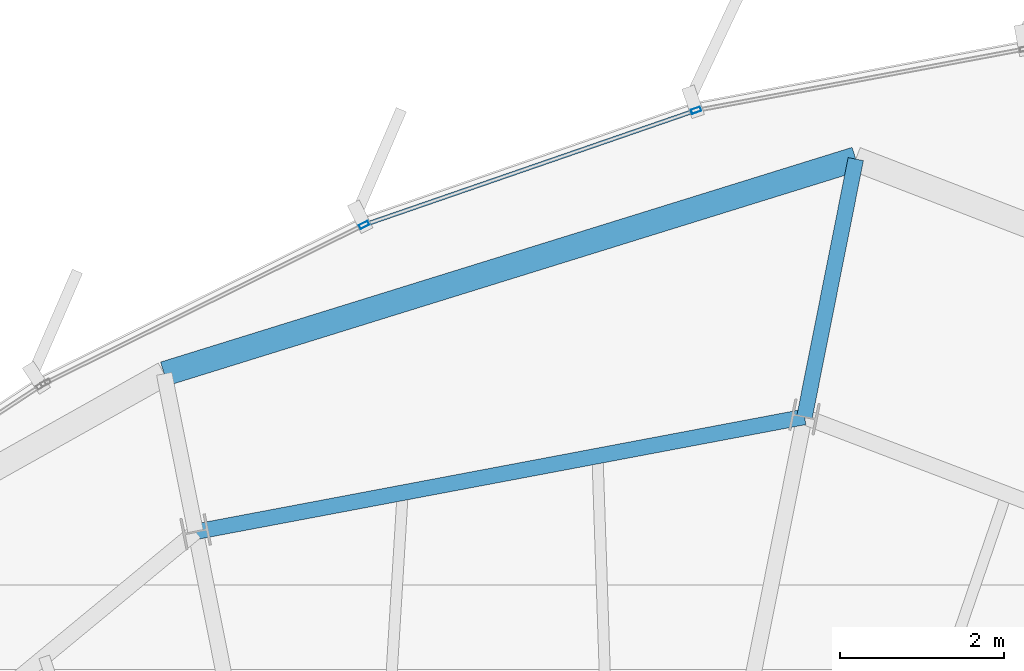
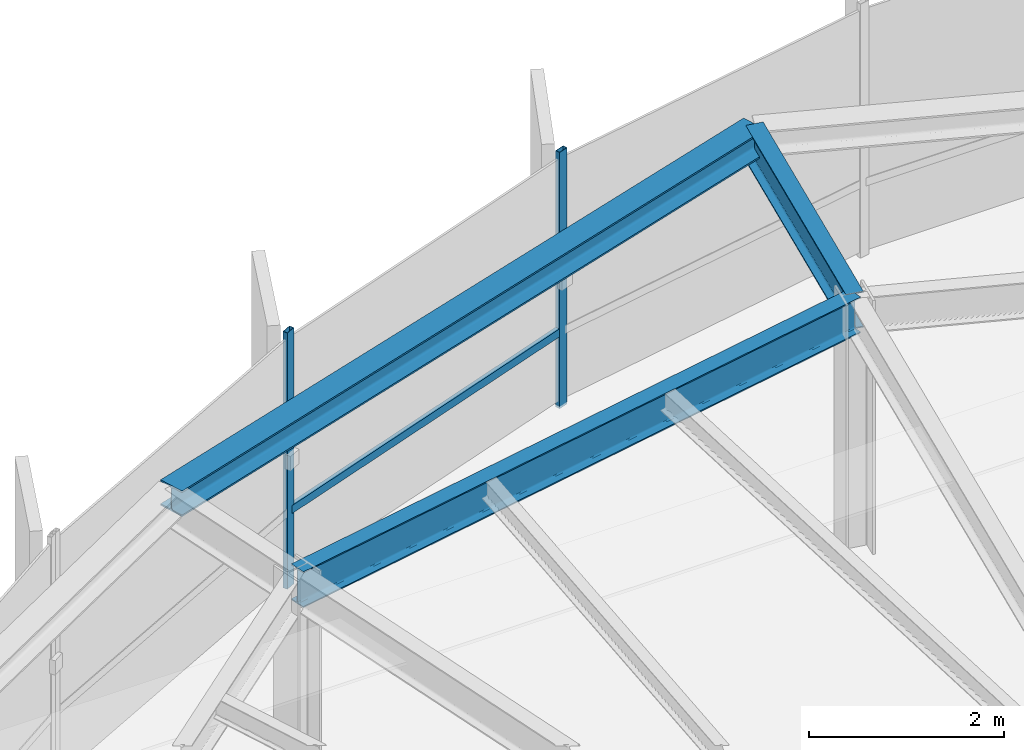
# One storey, part 23 of 35: 3 beams, 3 members, 1 element without a shape of its own.
"""IFC4 building model written with IfcOpenShell, lengths in metres."""

import ifcopenshell
import ifcopenshell.guid

model = None  # the IFC model being written
_history = None  # IfcOwnerHistory: only IFC2X3 demands one
_inside = {}  # id of a spatial element -> (the spatial element, [elements in it])
_under = {}  # id of a project, library or spatial element -> (it, [spatial elements below it])
_declared = {}  # id of a project -> (the project, [libraries it declares])
_typed = {}  # id of a type object -> (the type object, [elements of that type])
_made_of = {}  # id of a material, layer set ... -> (it, [elements and type objects made of it])


def new_model(schema):
    """Start an empty IFC model of exactly this schema.

    Asked for "IFC4X3", IfcOpenShell would pick the latest addendum, in which some entities
    have other attributes; the version numbers below select the first issue.
    IFC2X3 requires an IfcOwnerHistory on every rooted entity: one is made here for all.
    """
    global model, _history
    if schema == "IFC4X3":
        model = ifcopenshell.file(schema_version=(4, 3, 0, 0))
    else:
        model = ifcopenshell.file(schema=schema)
    _inside.clear()
    _under.clear()
    _declared.clear()
    _typed.clear()
    _made_of.clear()
    _history = None
    if model.schema == "IFC2X3":
        org = make("IfcOrganization", Name="unknown")
        user = make(
            "IfcPersonAndOrganization",
            ThePerson=make("IfcPerson", FamilyName="unknown"),
            TheOrganization=org,
        )
        app = make(
            "IfcApplication",
            ApplicationDeveloper=org,
            Version="unknown",
            ApplicationFullName="unknown",
            ApplicationIdentifier="unknown",
        )
        _history = make(
            "IfcOwnerHistory",
            OwningUser=user,
            OwningApplication=app,
            ChangeAction="ADDED",
            CreationDate=0,
        )
    return model


def make(cls, **values):
    """One entity of the class cls with the attributes given. An attribute that is None is left unset."""
    return model.create_entity(
        cls, **{name: value for name, value in values.items() if value is not None}
    )


def rooted(cls, **values):
    """An entity with a GlobalId (a new one), such as an element, a storey or a relation."""
    return make(cls, GlobalId=ifcopenshell.guid.new(), OwnerHistory=_history, **values)


def si_unit(unit_type, name, prefix=None):
    """IfcSIUnit, for example si_unit("LENGTHUNIT", "METRE", prefix="MILLI")."""
    return make("IfcSIUnit", UnitType=unit_type, Prefix=prefix, Name=name)


def assignment(units):
    """IfcUnitAssignment: the units of a project."""
    return None if units is None else make("IfcUnitAssignment", Units=units)


def point(xyz):
    """IfcCartesianPoint."""
    return None if xyz is None else make("IfcCartesianPoint", Coordinates=xyz)


def direction(xyz):
    """IfcDirection."""
    return None if xyz is None else make("IfcDirection", DirectionRatios=xyz)


def frame(location, z_axis=None, x_axis=None):
    """IfcAxis2Placement3D, a coordinate frame: its origin and axes. An axis left out is left unset."""
    return make(
        "IfcAxis2Placement3D",
        Location=point(location),
        Axis=direction(z_axis),
        RefDirection=direction(x_axis),
    )


def frame_2d(location, x_axis=None):
    """IfcAxis2Placement2D, a coordinate frame in the plane: its origin and x axis."""
    return make(
        "IfcAxis2Placement2D", Location=point(location), RefDirection=direction(x_axis)
    )


def origin():
    """The frame at (0, 0, 0) with its axes left unset."""
    return frame((0.0, 0.0, 0.0))


def origin_2d():
    """The frame at (0, 0) in the plane with its x axis left unset."""
    return frame_2d((0.0, 0.0))


def place(relative_to, where):
    """IfcLocalPlacement: puts the frame where relative to a parent placement (None: the world)."""
    return make(
        "IfcLocalPlacement", PlacementRelTo=relative_to, RelativePlacement=where
    )


def context(
    kind, dimensions, precision=None, world=None, true_north=None, identifier=None
):
    """IfcGeometricRepresentationContext, for example the 3D "Model" context."""
    return make(
        "IfcGeometricRepresentationContext",
        ContextIdentifier=identifier,
        ContextType=kind,
        CoordinateSpaceDimension=dimensions,
        Precision=precision,
        WorldCoordinateSystem=world,
        TrueNorth=true_north,
    )


def subcontext(parent, identifier, kind, view, scale=None):
    """IfcGeometricRepresentationSubContext, for example "Body" below "Model"."""
    return make(
        "IfcGeometricRepresentationSubContext",
        ContextIdentifier=identifier,
        ContextType=kind,
        ParentContext=parent,
        TargetScale=scale,
        TargetView=view,
    )


def project(units=None, contexts=None):
    """IfcProject with its units and contexts."""
    return rooted(
        "IfcProject",
        Name="project",
        RepresentationContexts=contexts,
        UnitsInContext=assignment(units),
    )


def spatial(cls, under=None, at=None, **own):
    """A site, building, storey or space (cls), placed at a placement, below another one or the project."""
    s = rooted(cls, ObjectPlacement=at, **own)
    if under is not None:
        _under.setdefault(under.id(), (under, []))[1].append(s)
    return s


def profile(cls, at=None, kind="AREA", **sizes):
    """A parametric profile (cls). Its sizes go by their IFC names, for example OverallWidth=200.0."""
    return make(cls, ProfileType=kind, Position=at, **sizes)


def hollow_rectangle(**sizes):
    """IfcRectangleHollowProfileDef."""
    return profile("IfcRectangleHollowProfileDef", **sizes)


def i_section(**sizes):
    """IfcIShapeProfileDef."""
    return profile("IfcIShapeProfileDef", **sizes)


def extrude(swept, where, along, depth):
    """IfcExtrudedAreaSolid: the profile swept, set in the frame where, extruded along a direction by depth."""
    return make(
        "IfcExtrudedAreaSolid",
        SweptArea=swept,
        Position=where,
        ExtrudedDirection=direction(along),
        Depth=depth,
    )


def shape(context_of_items, identifier, shape_type, items):
    """IfcShapeRepresentation: the items that make up one representation, for example the "Body"."""
    return make(
        "IfcShapeRepresentation",
        ContextOfItems=context_of_items,
        RepresentationIdentifier=identifier,
        RepresentationType=shape_type,
        Items=items,
    )


def source(mapping_origin, context_of_items, identifier, shape_type, items):
    """IfcRepresentationMap: a shape defined once, which mapped items show again and again."""
    return make(
        "IfcRepresentationMap",
        MappingOrigin=mapping_origin,
        MappedRepresentation=shape(context_of_items, identifier, shape_type, items),
    )


def transform(
    local_origin,
    x_axis=None,
    y_axis=None,
    z_axis=None,
    scale=None,
    scale2=None,
    scale3=None,
    uniform=True,
):
    """IfcCartesianTransformationOperator3D, or its non-uniform kind. x_axis, y_axis, z_axis: its Axis1, 2, 3."""
    if uniform:
        return make(
            "IfcCartesianTransformationOperator3D",
            Axis1=direction(x_axis),
            Axis2=direction(y_axis),
            LocalOrigin=point(local_origin),
            Scale=scale,
            Axis3=direction(z_axis),
        )
    return make(
        "IfcCartesianTransformationOperator3DnonUniform",
        Axis1=direction(x_axis),
        Axis2=direction(y_axis),
        LocalOrigin=point(local_origin),
        Scale=scale,
        Axis3=direction(z_axis),
        Scale2=scale2,
        Scale3=scale3,
    )


def mapped(mapping_source, mapping_target):
    """IfcMappedItem: shows the shape of a source again, moved by a transform."""
    return make(
        "IfcMappedItem", MappingSource=mapping_source, MappingTarget=mapping_target
    )


def material(Name=None, Category=None):
    """IfcMaterial."""
    return make("IfcMaterial", Name=Name, Category=Category)


def layer(
    of_material, thickness, ventilated=None, Name=None, Category=None, Priority=None
):
    """IfcMaterialLayer: one layer of a wall or slab, of a material (None: an air gap)."""
    return make(
        "IfcMaterialLayer",
        Material=of_material,
        LayerThickness=thickness,
        IsVentilated=ventilated,
        Name=Name,
        Category=Category,
        Priority=Priority,
    )


def layer_set(layers, Name=None):
    """IfcMaterialLayerSet."""
    return make("IfcMaterialLayerSet", MaterialLayers=layers, LayerSetName=Name)


def material_profile(
    of_material, cross_section, Name=None, Category=None, Priority=None
):
    """IfcMaterialProfile: a cross section and its material."""
    return make(
        "IfcMaterialProfile",
        Name=Name,
        Material=of_material,
        Profile=cross_section,
        Priority=Priority,
        Category=Category,
    )


def profile_set(profiles, Name=None, composite=None):
    """IfcMaterialProfileSet."""
    return make(
        "IfcMaterialProfileSet",
        Name=Name,
        MaterialProfiles=profiles,
        CompositeProfile=composite,
    )


def made_of(thing, what):
    """Note that an element or type object is made of a material, layer set ...; save() writes the relation."""
    if what is not None:
        _made_of.setdefault(what.id(), (what, []))[1].append(thing)
    return thing


def type_object(cls, material=None, **own):
    """A type object (cls), such as IfcWallType, which elements share."""
    return made_of(rooted(cls, **own), material)


def element(
    cls,
    number,
    at=None,
    inside=None,
    cuts=None,
    type_object=None,
    material=None,
    context=None,
    identifier="Body",
    shape_type=None,
    held_by="IfcProductDefinitionShape",
    body=None,
    shapes=None,
    **own,
):
    """One element of the class cls, such as IfcWall. Its Tag is "e" and its number.

    at: its placement. inside: the storey or other place that contains it. cuts: it is an
    opening in that element (IfcRelVoidsElement). A single representation is given by context,
    identifier, shape_type and body (its items); several are given by shapes. held_by: the class
    of the entity that holds the representations. save() writes the other relations.
    """
    e = rooted(cls, Tag="e%d" % number, ObjectPlacement=at, **own)
    if body is not None:
        shapes = [shape(context, identifier, shape_type, body)]
    if shapes is not None:
        e.Representation = make(held_by, Representations=shapes)
    if inside is not None:
        _inside.setdefault(inside.id(), (inside, []))[1].append(e)
    if cuts is not None:
        rooted(
            "IfcRelVoidsElement", RelatingBuildingElement=cuts, RelatedOpeningElement=e
        )
    if type_object is not None:
        _typed.setdefault(type_object.id(), (type_object, []))[1].append(e)
    return made_of(e, material)


def aggregate(whole, parts):
    """IfcRelAggregates: a whole, such as a stair, and the parts it consists of."""
    return rooted("IfcRelAggregates", RelatingObject=whole, RelatedObjects=parts)


def save(model, path):
    """Write the relations noted so far, then the file.

    IfcRelAggregates (storeys below a building ...), IfcRelContainedInSpatialStructure (elements
    in a storey), IfcRelDefinesByType, IfcRelAssociatesMaterial and IfcRelDeclares: one each for
    every whole, place, type object, material and project.
    """
    for whole, parts in _under.values():
        aggregate(whole, parts)
    for where, things in _inside.values():
        rooted(
            "IfcRelContainedInSpatialStructure",
            RelatedElements=things,
            RelatingStructure=where,
        )
    for kind, things in _typed.values():
        rooted("IfcRelDefinesByType", RelatedObjects=things, RelatingType=kind)
    for what, things in _made_of.values():
        rooted("IfcRelAssociatesMaterial", RelatedObjects=things, RelatingMaterial=what)
    for by, libraries in _declared.values():
        rooted("IfcRelDeclares", RelatingContext=by, RelatedDefinitions=libraries)
    model.write(path)


model = new_model("IFC4")

# Units and contexts
model_context = context("Model", 3, precision=1e-05, world=origin(), true_north=direction((0.0, 1.0)))
body_context = subcontext(model_context, "Body", "Model", "MODEL_VIEW")
ifc_project = project(units=[si_unit("LENGTHUNIT", "METRE"), si_unit("AREAUNIT", "SQUARE_METRE"), si_unit("VOLUMEUNIT", "CUBIC_METRE"), si_unit("PLANEANGLEUNIT", "RADIAN"), si_unit("MASSUNIT", "GRAM", prefix="KILO"), si_unit("THERMODYNAMICTEMPERATUREUNIT", "KELVIN")], contexts=[model_context])

# Site, building, storey
site_placement = place(None, origin())
site = spatial("IfcSite", under=ifc_project, at=site_placement, CompositionType="ELEMENT")
building_placement = place(site_placement, origin())
building = spatial("IfcBuilding", under=site, at=building_placement, Name="Kethvar Cultural Tower", CompositionType="ELEMENT")
storey_placement = place(building_placement, frame((0.0, 0.0, 245.64990234375)))
storey = spatial("IfcBuildingStorey", under=building, at=storey_placement, Name="L64", CompositionType="ELEMENT", Elevation=245.64990234375)

# Beams
ifc_material_1 = material(Name="Steel S355J2", Category="steel")
ifc_material_profile_1 = material_profile(ifc_material_1, i_section(OverallWidth=0.18994140625, OverallDepth=0.449951171875, WebThickness=0.009521484375, FlangeThickness=0.0146484375, FilletRadius=0.02099609375, at=origin_2d()), Name="Steel S355J2 — IPE450")
ifc_profile_set_1 = profile_set([ifc_material_profile_1], Name="Steel S355J2 — IPE450")
beam_type_1 = type_object("IfcBeamType", Name="BM-IPE450", PredefinedType="BEAM", material=ifc_profile_set_1)
shared_shape_1 = source(origin(), body_context, "Body", "SweptSolid", [
    extrude(i_section(OverallWidth=0.18994140625, OverallDepth=0.449951171875, WebThickness=0.009521484375, FlangeThickness=0.0146484375, FilletRadius=0.02099609375, at=origin_2d()), origin(), (0.0, 0.0, 1.0), 3.199951171875),
])
beam_1_placement = place(storey_placement, frame((50.645263671875, 47.131591796875, 2.983154296875), z_axis=(0.195088965533, 0.980785550224, 0.0), x_axis=(-0.980785550224, 0.195088965533, 0.0)))
element("IfcBeam", 1, at=beam_1_placement, inside=storey, type_object=beam_type_1, Name="L64 Perimeter Cantilever Beam RC-04", PredefinedType="BEAM", context=body_context, shape_type="MappedRepresentation", body=[
    mapped(shared_shape_1, transform((0.0, 0.0, 0.0), scale=1.0)),
])
shared_shape_2 = source(origin(), body_context, "Body", "SweptSolid", [
    extrude(i_section(OverallWidth=0.18994140625, OverallDepth=0.449951171875, WebThickness=0.009521484375, FlangeThickness=0.0146484375, FilletRadius=0.02099609375, at=origin_2d()), origin(), (0.0, 0.0, 1.0), 7.543212890625),
])
beam_2_placement = place(storey_placement, frame((50.645263671875, 47.131591796875, 2.983154296875), z_axis=(-0.982646853086, -0.185486285532, 0.0), x_axis=(0.185486285532, -0.982646853086, 0.0)))
element("IfcBeam", 2, at=beam_2_placement, inside=storey, type_object=beam_type_1, Name="L64 Column Ring Tie Beam CR-04", PredefinedType="BEAM", context=body_context, shape_type="MappedRepresentation", body=[
    mapped(shared_shape_2, transform((0.0, 0.0, 0.0), scale=1.0)),
])
ifc_material_profile_2 = material_profile(ifc_material_1, i_section(OverallWidth=0.300048828125, OverallDepth=0.320068359375, WebThickness=0.011474609375, FlangeThickness=0.0205078125, FilletRadius=0.027099609375, at=origin_2d()), Name="Steel S355J2 — HEB320")
ifc_profile_set_2 = profile_set([ifc_material_profile_2], Name="Steel S355J2 — HEB320")
beam_type_2 = type_object("IfcBeamType", Name="BM-SP320", PredefinedType="SPANDREL", material=ifc_profile_set_2)
shared_shape_3 = source(origin(), body_context, "Body", "SweptSolid", [
    extrude(i_section(OverallWidth=0.300048828125, OverallDepth=0.320068359375, WebThickness=0.011474609375, FlangeThickness=0.0205078125, FilletRadius=0.027099609375, at=origin_2d()), origin(), (0.0, 0.0, 1.0), 8.815673828125),
])
beam_3_placement = place(storey_placement, frame((51.26953125, 50.27001953125, 3.048095703125), z_axis=(-0.955026823476, -0.296519420007, 0.0), x_axis=(0.296519420007, -0.955026823476, 0.0)))
element("IfcBeam", 3, at=beam_3_placement, inside=storey, type_object=beam_type_2, Name="L64 Perimeter Spandrel Beam SP-04", PredefinedType="SPANDREL", context=body_context, shape_type="MappedRepresentation", body=[
    mapped(shared_shape_3, transform((0.0, 0.0, 0.0), scale=1.0)),
])

# Curtain wall, members
ifc_material_2 = material(Name="Aluminium 6063-T6", Category="aluminium")
ifc_layer = layer(ifc_material_2, 0.179931640625, Name="Aluminium 6063-T6", Category="aluminium")
ifc_layer_set = layer_set([ifc_layer], Name="Aluminium 6063-T6 (180 mm)")
curtain_wall_type = type_object("IfcCurtainWallType", Name="CW-SYS-05-Z56", PredefinedType="NOTDEFINED", material=ifc_layer_set)
curtain_wall_placement = place(storey_placement, origin())
curtain_wall = element("IfcCurtainWall", 4, at=curtain_wall_placement, inside=storey, type_object=curtain_wall_type, Name="L64 Curtain Wall Run 01", PredefinedType="NOTDEFINED")
ifc_material_profile_3 = material_profile(ifc_material_2, hollow_rectangle(XDim=0.054931640625, YDim=0.1201171875, WallThickness=0.00390625, at=origin_2d()), Name="Aluminium 6063-T6 — RHS120x55x4")
ifc_profile_set_3 = profile_set([ifc_material_profile_3], Name="Aluminium 6063-T6 — RHS120x55x4")
member_type_1 = type_object("IfcMemberType", Name="CW-SYS-05-Z56-MUL", PredefinedType="MULLION", material=ifc_profile_set_3)
shared_shape_4 = source(origin(), body_context, "Body", "SweptSolid", [
    extrude(hollow_rectangle(XDim=0.054931640625, YDim=0.1201171875, WallThickness=0.00390625, at=origin_2d()), origin(), (0.0, 0.0, 1.0), 3.210205078125),
])
member_1_placement = place(storey_placement, frame((49.32470703125, 50.864013671875, 0.0), z_axis=(0.0, 0.0, 1.0), x_axis=(0.326360155906, -0.945245496491, 0.0)))
member_1 = element("IfcMember", 5, at=member_1_placement, type_object=member_type_1, Name="CW-L64-R01 Mullion 5", PredefinedType="MULLION", context=body_context, shape_type="MappedRepresentation", body=[
    mapped(shared_shape_4, transform((0.0, 0.0, 0.0), scale=1.0)),
])
member_2_placement = place(storey_placement, frame((45.28466796875, 49.469970703125, 0.0), z_axis=(0.0, 0.0, 1.0), x_axis=(0.44440066716, -0.89582813476, 0.0)))
member_2 = element("IfcMember", 6, at=member_2_placement, type_object=member_type_1, Name="CW-L64-R01 Mullion 6", PredefinedType="MULLION", context=body_context, shape_type="MappedRepresentation", body=[
    mapped(shared_shape_4, transform((0.0, 0.0, 0.0), scale=1.0)),
])
ifc_material_profile_4 = material_profile(ifc_material_2, hollow_rectangle(XDim=0.050048828125, YDim=0.10009765625, WallThickness=0.00390625, at=origin_2d()), Name="Aluminium 6063-T6 — RHS100x50x4")
ifc_profile_set_4 = profile_set([ifc_material_profile_4], Name="Aluminium 6063-T6 — RHS100x50x4")
member_type_2 = type_object("IfcMemberType", Name="CW-SYS-05-Z56-TRN", PredefinedType="USERDEFINED", material=ifc_profile_set_4)
shared_shape_5 = source(origin(), body_context, "Body", "SweptSolid", [
    extrude(hollow_rectangle(XDim=0.050048828125, YDim=0.10009765625, WallThickness=0.00390625, at=origin_2d()), origin(), (0.0, 0.0, 1.0), 4.20751953125),
])
member_3_placement = place(storey_placement, frame((49.287353515625, 50.85107421875, 0.9501953125), z_axis=(-0.945234152961, -0.326393008619, 0.0), x_axis=(0.326393008619, -0.945234152961, 0.0)))
member_3 = element("IfcMember", 7, at=member_3_placement, type_object=member_type_2, Name="CW-L64-R01 Transom 5", ObjectType="TRANSOM", PredefinedType="USERDEFINED", context=body_context, shape_type="MappedRepresentation", body=[
    mapped(shared_shape_5, transform((0.0, 0.0, 0.0), scale=1.0)),
])
aggregate(curtain_wall, [member_1, member_2, member_3])

save(model, "model.ifc")
